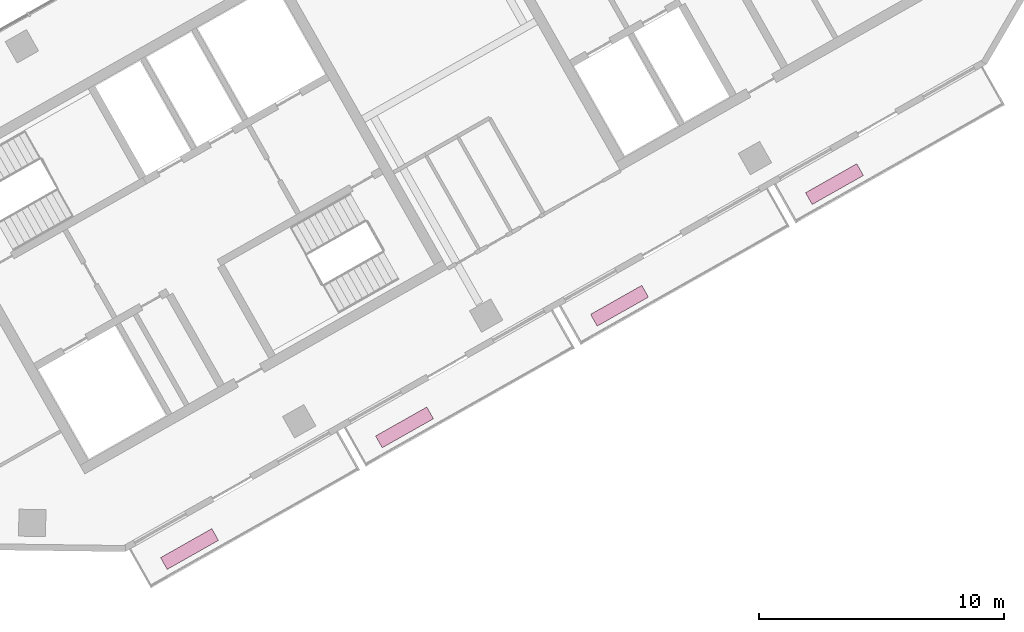
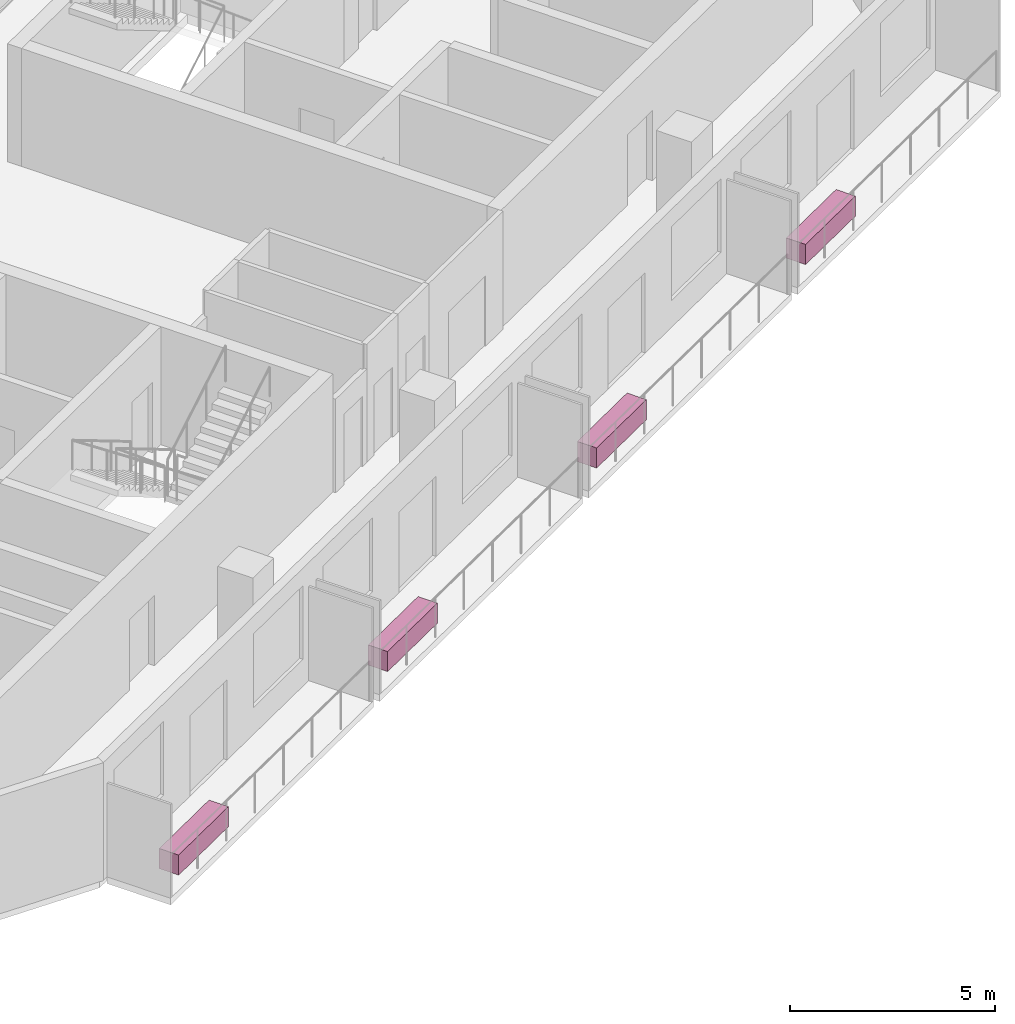
# One storey, part 10 of 10: 4 furnishings.
"""IFC4 building model written with IfcOpenShell, lengths in metres."""

import ifcopenshell
import ifcopenshell.guid

model = None  # the IFC model being written
_history = None  # IfcOwnerHistory: only IFC2X3 demands one
_inside = {}  # id of a spatial element -> (the spatial element, [elements in it])
_under = {}  # id of a project, library or spatial element -> (it, [spatial elements below it])
_declared = {}  # id of a project -> (the project, [libraries it declares])
_typed = {}  # id of a type object -> (the type object, [elements of that type])
_made_of = {}  # id of a material, layer set ... -> (it, [elements and type objects made of it])


def new_model(schema):
    """Start an empty IFC model of exactly this schema.

    Asked for "IFC4X3", IfcOpenShell would pick the latest addendum, in which some entities
    have other attributes; the version numbers below select the first issue.
    IFC2X3 requires an IfcOwnerHistory on every rooted entity: one is made here for all.
    """
    global model, _history
    if schema == "IFC4X3":
        model = ifcopenshell.file(schema_version=(4, 3, 0, 0))
    else:
        model = ifcopenshell.file(schema=schema)
    _inside.clear()
    _under.clear()
    _declared.clear()
    _typed.clear()
    _made_of.clear()
    _history = None
    if model.schema == "IFC2X3":
        org = make("IfcOrganization", Name="unknown")
        user = make(
            "IfcPersonAndOrganization",
            ThePerson=make("IfcPerson", FamilyName="unknown"),
            TheOrganization=org,
        )
        app = make(
            "IfcApplication",
            ApplicationDeveloper=org,
            Version="unknown",
            ApplicationFullName="unknown",
            ApplicationIdentifier="unknown",
        )
        _history = make(
            "IfcOwnerHistory",
            OwningUser=user,
            OwningApplication=app,
            ChangeAction="ADDED",
            CreationDate=0,
        )
    return model


def make(cls, **values):
    """One entity of the class cls with the attributes given. An attribute that is None is left unset."""
    return model.create_entity(
        cls, **{name: value for name, value in values.items() if value is not None}
    )


def rooted(cls, **values):
    """An entity with a GlobalId (a new one), such as an element, a storey or a relation."""
    return make(cls, GlobalId=ifcopenshell.guid.new(), OwnerHistory=_history, **values)


def si_unit(unit_type, name, prefix=None):
    """IfcSIUnit, for example si_unit("LENGTHUNIT", "METRE", prefix="MILLI")."""
    return make("IfcSIUnit", UnitType=unit_type, Prefix=prefix, Name=name)


def assignment(units):
    """IfcUnitAssignment: the units of a project."""
    return None if units is None else make("IfcUnitAssignment", Units=units)


def point(xyz):
    """IfcCartesianPoint."""
    return None if xyz is None else make("IfcCartesianPoint", Coordinates=xyz)


def direction(xyz):
    """IfcDirection."""
    return None if xyz is None else make("IfcDirection", DirectionRatios=xyz)


def frame(location, z_axis=None, x_axis=None):
    """IfcAxis2Placement3D, a coordinate frame: its origin and axes. An axis left out is left unset."""
    return make(
        "IfcAxis2Placement3D",
        Location=point(location),
        Axis=direction(z_axis),
        RefDirection=direction(x_axis),
    )


def frame_2d(location, x_axis=None):
    """IfcAxis2Placement2D, a coordinate frame in the plane: its origin and x axis."""
    return make(
        "IfcAxis2Placement2D", Location=point(location), RefDirection=direction(x_axis)
    )


def origin():
    """The frame at (0, 0, 0) with its axes left unset."""
    return frame((0.0, 0.0, 0.0))


def origin_2d():
    """The frame at (0, 0) in the plane with its x axis left unset."""
    return frame_2d((0.0, 0.0))


def place(relative_to, where):
    """IfcLocalPlacement: puts the frame where relative to a parent placement (None: the world)."""
    return make(
        "IfcLocalPlacement", PlacementRelTo=relative_to, RelativePlacement=where
    )


def context(
    kind, dimensions, precision=None, world=None, true_north=None, identifier=None
):
    """IfcGeometricRepresentationContext, for example the 3D "Model" context."""
    return make(
        "IfcGeometricRepresentationContext",
        ContextIdentifier=identifier,
        ContextType=kind,
        CoordinateSpaceDimension=dimensions,
        Precision=precision,
        WorldCoordinateSystem=world,
        TrueNorth=true_north,
    )


def subcontext(parent, identifier, kind, view, scale=None):
    """IfcGeometricRepresentationSubContext, for example "Body" below "Model"."""
    return make(
        "IfcGeometricRepresentationSubContext",
        ContextIdentifier=identifier,
        ContextType=kind,
        ParentContext=parent,
        TargetScale=scale,
        TargetView=view,
    )


def project(units=None, contexts=None):
    """IfcProject with its units and contexts."""
    return rooted(
        "IfcProject",
        Name="project",
        RepresentationContexts=contexts,
        UnitsInContext=assignment(units),
    )


def spatial(cls, under=None, at=None, **own):
    """A site, building, storey or space (cls), placed at a placement, below another one or the project."""
    s = rooted(cls, ObjectPlacement=at, **own)
    if under is not None:
        _under.setdefault(under.id(), (under, []))[1].append(s)
    return s


def profile(cls, at=None, kind="AREA", **sizes):
    """A parametric profile (cls). Its sizes go by their IFC names, for example OverallWidth=200.0."""
    return make(cls, ProfileType=kind, Position=at, **sizes)


def rectangle(**sizes):
    """IfcRectangleProfileDef."""
    return profile("IfcRectangleProfileDef", **sizes)


def extrude(swept, where, along, depth):
    """IfcExtrudedAreaSolid: the profile swept, set in the frame where, extruded along a direction by depth."""
    return make(
        "IfcExtrudedAreaSolid",
        SweptArea=swept,
        Position=where,
        ExtrudedDirection=direction(along),
        Depth=depth,
    )


def shape(context_of_items, identifier, shape_type, items):
    """IfcShapeRepresentation: the items that make up one representation, for example the "Body"."""
    return make(
        "IfcShapeRepresentation",
        ContextOfItems=context_of_items,
        RepresentationIdentifier=identifier,
        RepresentationType=shape_type,
        Items=items,
    )


def material(Name=None, Category=None):
    """IfcMaterial."""
    return make("IfcMaterial", Name=Name, Category=Category)


def made_of(thing, what):
    """Note that an element or type object is made of a material, layer set ...; save() writes the relation."""
    if what is not None:
        _made_of.setdefault(what.id(), (what, []))[1].append(thing)
    return thing


def type_object(cls, material=None, **own):
    """A type object (cls), such as IfcWallType, which elements share."""
    return made_of(rooted(cls, **own), material)


def element(
    cls,
    number,
    at=None,
    inside=None,
    cuts=None,
    type_object=None,
    material=None,
    context=None,
    identifier="Body",
    shape_type=None,
    held_by="IfcProductDefinitionShape",
    body=None,
    shapes=None,
    **own,
):
    """One element of the class cls, such as IfcWall. Its Tag is "e" and its number.

    at: its placement. inside: the storey or other place that contains it. cuts: it is an
    opening in that element (IfcRelVoidsElement). A single representation is given by context,
    identifier, shape_type and body (its items); several are given by shapes. held_by: the class
    of the entity that holds the representations. save() writes the other relations.
    """
    e = rooted(cls, Tag="e%d" % number, ObjectPlacement=at, **own)
    if body is not None:
        shapes = [shape(context, identifier, shape_type, body)]
    if shapes is not None:
        e.Representation = make(held_by, Representations=shapes)
    if inside is not None:
        _inside.setdefault(inside.id(), (inside, []))[1].append(e)
    if cuts is not None:
        rooted(
            "IfcRelVoidsElement", RelatingBuildingElement=cuts, RelatedOpeningElement=e
        )
    if type_object is not None:
        _typed.setdefault(type_object.id(), (type_object, []))[1].append(e)
    return made_of(e, material)


def aggregate(whole, parts):
    """IfcRelAggregates: a whole, such as a stair, and the parts it consists of."""
    return rooted("IfcRelAggregates", RelatingObject=whole, RelatedObjects=parts)


def save(model, path):
    """Write the relations noted so far, then the file.

    IfcRelAggregates (storeys below a building ...), IfcRelContainedInSpatialStructure (elements
    in a storey), IfcRelDefinesByType, IfcRelAssociatesMaterial and IfcRelDeclares: one each for
    every whole, place, type object, material and project.
    """
    for whole, parts in _under.values():
        aggregate(whole, parts)
    for where, things in _inside.values():
        rooted(
            "IfcRelContainedInSpatialStructure",
            RelatedElements=things,
            RelatingStructure=where,
        )
    for kind, things in _typed.values():
        rooted("IfcRelDefinesByType", RelatedObjects=things, RelatingType=kind)
    for what, things in _made_of.values():
        rooted("IfcRelAssociatesMaterial", RelatedObjects=things, RelatingMaterial=what)
    for by, libraries in _declared.values():
        rooted("IfcRelDeclares", RelatingContext=by, RelatedDefinitions=libraries)
    model.write(path)


model = new_model("IFC4")

# Units and contexts
model_context = context("Model", 3, precision=1e-05, world=origin(), true_north=direction((0.0, 1.0)))
body_context = subcontext(model_context, "Body", "Model", "MODEL_VIEW")
ifc_project = project(units=[si_unit("LENGTHUNIT", "METRE"), si_unit("AREAUNIT", "SQUARE_METRE"), si_unit("VOLUMEUNIT", "CUBIC_METRE"), si_unit("PLANEANGLEUNIT", "RADIAN"), si_unit("MASSUNIT", "GRAM", prefix="KILO")], contexts=[model_context])

# Site, building, storey
site_placement = place(None, origin())
site = spatial("IfcSite", under=ifc_project, at=site_placement, CompositionType="ELEMENT")
building_placement = place(site_placement, origin())
building = spatial("IfcBuilding", under=site, at=building_placement, Name="Binnacle Exchange Tower", CompositionType="ELEMENT")
storey_placement = place(building_placement, frame((0.0, 0.0, 316.5)))
storey = spatial("IfcBuildingStorey", under=building, at=storey_placement, Name="L71", CompositionType="ELEMENT", Elevation=316.5)

# Furnishings
ifc_material = material(Name="Concrete C35/45", Category="concrete")
furnishing_element_type = type_object("IfcFurnishingElementType", Name="PLANTER 2400x550x600", material=ifc_material)
for number, where, z_axis, x_axis, name in (
    (1, (-35.44677734375, 26.428466796875, 0.0), (0.0, 0.0, 1.0), (0.87035569594, 0.492423560103, 0.0), "Planter H07-B00a L71"),
    (2, (-26.683837890625, 31.38623046875, 0.0), (0.0, 0.0, 1.0), (0.87035569594, 0.492423560103, 0.0), "Planter H07-B01a L71"),
    (3, (-17.9208984375, 36.34423828125, 0.0), (0.0, 0.0, 1.0), (0.87035569594, 0.492423560103, 0.0), "Planter H07-B02a L71"),
    (4, (-9.158203125, 41.302001953125, 0.0), (0.0, 0.0, 1.0), (0.87035569594, 0.492423560103, 0.0), "Planter H07-B03a L71"),
):
    element("IfcFurnishingElement", number, at=place(storey_placement, frame(where, z_axis=z_axis, x_axis=x_axis)), inside=storey, type_object=furnishing_element_type, Name=name, ObjectType="PLANTER", context=body_context, shape_type="SweptSolid", body=[
        extrude(rectangle(XDim=2.39990234375, YDim=0.550048828125, at=origin_2d()), origin(), (0.0, 0.0, 1.0), 0.60009765625),
    ])

save(model, "model.ifc")
